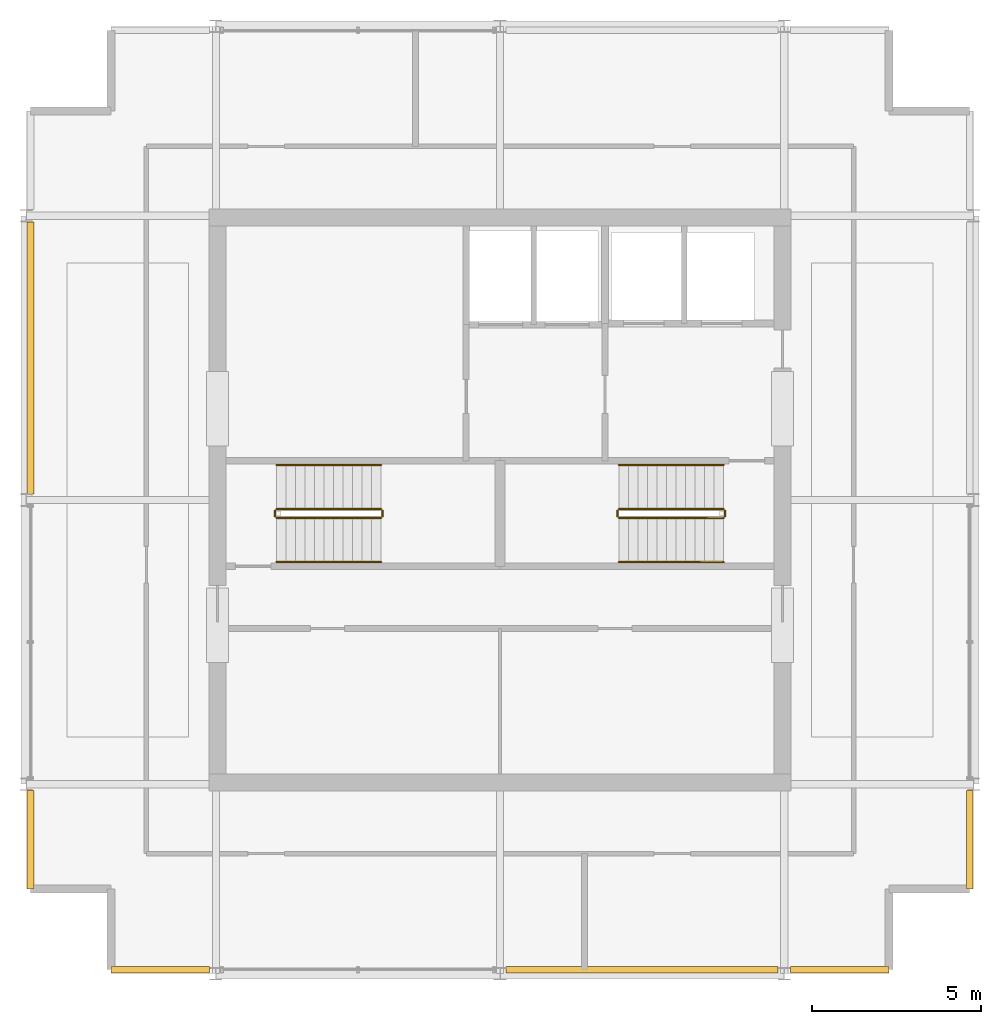
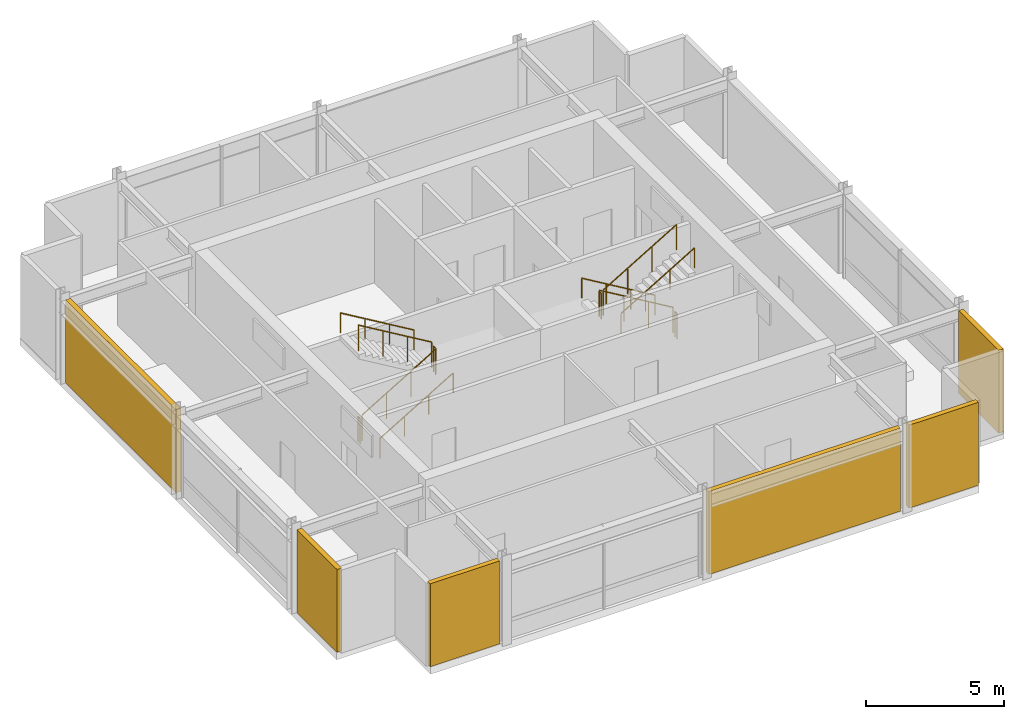
# One storey, part 11 of 12: 12 railings, 6 shading devices.
"""IFC4 building model written with IfcOpenShell, lengths in metres."""

from ifc_helpers import new_model, si_unit, direction, frame, origin, origin_2d, place, context, subcontext, project, spatial, rectangle, circle, extrude, material, layer, layer_set, type_object, element, save


model = new_model("IFC4")

# Units and contexts
model_context = context("Model", 3, precision=1e-05, world=origin(), true_north=direction((0.0, 1.0)))
body_context = subcontext(model_context, "Body", "Model", "MODEL_VIEW")
ifc_project = project(units=[si_unit("LENGTHUNIT", "METRE"), si_unit("AREAUNIT", "SQUARE_METRE"), si_unit("VOLUMEUNIT", "CUBIC_METRE"), si_unit("PLANEANGLEUNIT", "RADIAN"), si_unit("MASSUNIT", "GRAM", prefix="KILO")], contexts=[model_context])

# Site, building, storey
site_placement = place(None, origin())
site = spatial("IfcSite", under=ifc_project, at=site_placement, CompositionType="ELEMENT")
building_placement = place(site_placement, origin())
building = spatial("IfcBuilding", under=site, at=building_placement, Name="Drelvath Grand Hotel", CompositionType="ELEMENT")
storey_placement = place(building_placement, frame((0.0, 0.0, 315.39990234375)))
storey = spatial("IfcBuildingStorey", under=building, at=storey_placement, Name="L82", CompositionType="ELEMENT", Elevation=315.39990234375)

# Railings
ifc_material_1 = material(Name="Painted Steel S275", Category="steel")
railing_type_1 = type_object("IfcRailingType", Name="Core Stair Wall Handrail 900", PredefinedType="HANDRAIL", material=ifc_material_1)
railing_1_placement = place(storey_placement, frame((-6.60009765625, 25.169921875, 0.166748046875)))
element("IfcRailing", 1, at=railing_1_placement, inside=storey, type_object=railing_type_1, Name="L82 ST-1 stair handrail 1", PredefinedType="HANDRAIL", context=body_context, shape_type="SweptSolid", body=[
    extrude(circle(Radius=0.02392578125, at=origin_2d()), frame((0.0, 0.0, 0.8759765625), z_axis=(0.859308565015, 0.0, 0.511457515432), x_axis=(0.0, 1.0, 0.0)), (0.0, 0.0, 1.0), 3.58447265625),
    extrude(circle(Radius=0.02099609375, at=origin_2d()), origin(), (0.0, 0.0, 1.0), 0.851806640625),
    extrude(circle(Radius=0.02099609375, at=origin_2d()), frame((1.026611328125, 0.0, 0.611083984375)), (0.0, 0.0, 1.0), 0.851806640625),
    extrude(circle(Radius=0.02099609375, at=origin_2d()), frame((2.053466796875, 0.0, 1.22216796875)), (0.0, 0.0, 1.0), 0.851806640625),
    extrude(circle(Radius=0.02099609375, at=origin_2d()), frame((3.080078125, 0.0, 1.833251953125)), (0.0, 0.0, 1.0), 0.851806640625),
])
for number, where, name in (
    (2, (-3.52001953125, 28.030029296875, 2.166748046875), "L82 ST-1 stair handrail 2"),
    (3, (6.60009765625, 28.030029296875, 0.166748046875), "L82 ST-2 stair handrail 1"),
):
    element("IfcRailing", number, at=place(storey_placement, frame(where)), inside=storey, type_object=railing_type_1, Name=name, PredefinedType="HANDRAIL", context=body_context, shape_type="SweptSolid", body=[
        extrude(circle(Radius=0.02392578125, at=origin_2d()), frame((0.0, 0.0, 0.8759765625), z_axis=(-0.859308565015, 0.0, 0.511457515432), x_axis=(0.0, -1.0, 0.0)), (0.0, 0.0, 1.0), 3.58447265625),
        extrude(circle(Radius=0.02099609375, at=origin_2d()), origin(), (0.0, 0.0, 1.0), 0.851806640625),
        extrude(circle(Radius=0.02099609375, at=origin_2d()), frame((-1.026611328125, 0.0, 0.611083984375)), (0.0, 0.0, 1.0), 0.851806640625),
        extrude(circle(Radius=0.02099609375, at=origin_2d()), frame((-2.053466796875, 0.0, 1.22216796875)), (0.0, 0.0, 1.0), 0.851806640625),
        extrude(circle(Radius=0.02099609375, at=origin_2d()), frame((-3.080078125, 0.0, 1.833251953125)), (0.0, 0.0, 1.0), 0.851806640625),
    ])
railing_2_placement = place(storey_placement, frame((3.52001953125, 25.169921875, 2.166748046875)))
element("IfcRailing", 4, at=railing_2_placement, inside=storey, type_object=railing_type_1, Name="L82 ST-2 stair handrail 2", PredefinedType="HANDRAIL", context=body_context, shape_type="SweptSolid", body=[
    extrude(circle(Radius=0.02392578125, at=origin_2d()), frame((0.0, 0.0, 0.8759765625), z_axis=(0.859308565015, 0.0, 0.511457515432), x_axis=(0.0, 1.0, 0.0)), (0.0, 0.0, 1.0), 3.58447265625),
    extrude(circle(Radius=0.02099609375, at=origin_2d()), origin(), (0.0, 0.0, 1.0), 0.851806640625),
    extrude(circle(Radius=0.02099609375, at=origin_2d()), frame((1.026611328125, 0.0, 0.611083984375)), (0.0, 0.0, 1.0), 0.851806640625),
    extrude(circle(Radius=0.02099609375, at=origin_2d()), frame((2.053466796875, 0.0, 1.22216796875)), (0.0, 0.0, 1.0), 0.851806640625),
    extrude(circle(Radius=0.02099609375, at=origin_2d()), frame((3.080078125, 0.0, 1.833251953125)), (0.0, 0.0, 1.0), 0.851806640625),
])
railing_type_2 = type_object("IfcRailingType", Name="Core Stair Well Guardrail 1100", PredefinedType="GUARDRAIL", material=ifc_material_1)
railing_3_placement = place(storey_placement, frame((-6.60009765625, 26.469970703125, 0.166748046875)))
element("IfcRailing", 5, at=railing_3_placement, inside=storey, type_object=railing_type_2, Name="L82 ST-1 stair guard 1", PredefinedType="GUARDRAIL", context=body_context, shape_type="SweptSolid", body=[
    extrude(circle(Radius=0.02392578125, at=origin_2d()), frame((0.0, 0.0, 1.1259765625), z_axis=(0.859308565015, 0.0, 0.511457515432), x_axis=(0.0, 1.0, 0.0)), (0.0, 0.0, 1.0), 3.58447265625),
    extrude(circle(Radius=0.02099609375, at=origin_2d()), origin(), (0.0, 0.0, 1.0), 1.101806640625),
    extrude(circle(Radius=0.02099609375, at=origin_2d()), frame((1.026611328125, 0.0, 0.611083984375)), (0.0, 0.0, 1.0), 1.101806640625),
    extrude(circle(Radius=0.02099609375, at=origin_2d()), frame((2.053466796875, 0.0, 1.22216796875)), (0.0, 0.0, 1.0), 1.101806640625),
    extrude(circle(Radius=0.02099609375, at=origin_2d()), frame((3.080078125, 0.0, 1.833251953125)), (0.0, 0.0, 1.0), 1.101806640625),
])
railing_4_placement = place(storey_placement, frame((-3.469970703125, 26.52001953125, 2.0)))
element("IfcRailing", 6, at=railing_4_placement, inside=storey, type_object=railing_type_2, Name="L82 ST-1 stair guard 2", PredefinedType="GUARDRAIL", context=body_context, shape_type="SweptSolid", body=[
    extrude(circle(Radius=0.02392578125, at=origin_2d()), frame((0.0, 0.0, 1.1259765625), z_axis=(0.0, 1.0, 0.0), x_axis=(-1.0, 0.0, 0.0)), (0.0, 0.0, 1.0), 0.159912109375),
    extrude(circle(Radius=0.02099609375, at=origin_2d()), origin(), (0.0, 0.0, 1.0), 1.101806640625),
    extrude(circle(Radius=0.02099609375, at=origin_2d()), frame((0.0, 0.159912109375, 0.0)), (0.0, 0.0, 1.0), 1.101806640625),
])
railing_5_placement = place(storey_placement, frame((-3.52001953125, 26.72998046875, 2.166748046875)))
element("IfcRailing", 7, at=railing_5_placement, inside=storey, type_object=railing_type_2, Name="L82 ST-1 stair guard 3", PredefinedType="GUARDRAIL", context=body_context, shape_type="SweptSolid", body=[
    extrude(circle(Radius=0.02392578125, at=origin_2d()), frame((0.0, 0.0, 1.1259765625), z_axis=(-0.859308565015, 0.0, 0.511457515432), x_axis=(0.0, -1.0, 0.0)), (0.0, 0.0, 1.0), 3.58447265625),
    extrude(circle(Radius=0.02099609375, at=origin_2d()), origin(), (0.0, 0.0, 1.0), 1.101806640625),
    extrude(circle(Radius=0.02099609375, at=origin_2d()), frame((-1.026611328125, 0.0, 0.611083984375)), (0.0, 0.0, 1.0), 1.101806640625),
    extrude(circle(Radius=0.02099609375, at=origin_2d()), frame((-2.053466796875, 0.0, 1.22216796875)), (0.0, 0.0, 1.0), 1.101806640625),
    extrude(circle(Radius=0.02099609375, at=origin_2d()), frame((-3.080078125, 0.0, 1.833251953125)), (0.0, 0.0, 1.0), 1.101806640625),
])
railing_6_placement = place(storey_placement, frame((-6.64990234375, 26.52001953125, 0.0)))
element("IfcRailing", 8, at=railing_6_placement, inside=storey, type_object=railing_type_2, Name="L82 ST-1 stair guard 4", PredefinedType="GUARDRAIL", context=body_context, shape_type="SweptSolid", body=[
    extrude(circle(Radius=0.02392578125, at=origin_2d()), frame((0.0, 0.0, 1.1259765625), z_axis=(0.0, 1.0, 0.0), x_axis=(-1.0, 0.0, 0.0)), (0.0, 0.0, 1.0), 0.159912109375),
    extrude(circle(Radius=0.02099609375, at=origin_2d()), origin(), (0.0, 0.0, 1.0), 1.101806640625),
    extrude(circle(Radius=0.02099609375, at=origin_2d()), frame((0.0, 0.159912109375, 0.0)), (0.0, 0.0, 1.0), 1.101806640625),
])
railing_7_placement = place(storey_placement, frame((6.60009765625, 26.72998046875, 0.166748046875)))
element("IfcRailing", 9, at=railing_7_placement, inside=storey, type_object=railing_type_2, Name="L82 ST-2 stair guard 1", PredefinedType="GUARDRAIL", context=body_context, shape_type="SweptSolid", body=[
    extrude(circle(Radius=0.02392578125, at=origin_2d()), frame((0.0, 0.0, 1.1259765625), z_axis=(-0.859308565015, 0.0, 0.511457515432), x_axis=(0.0, -1.0, 0.0)), (0.0, 0.0, 1.0), 3.58447265625),
    extrude(circle(Radius=0.02099609375, at=origin_2d()), origin(), (0.0, 0.0, 1.0), 1.101806640625),
    extrude(circle(Radius=0.02099609375, at=origin_2d()), frame((-1.026611328125, 0.0, 0.611083984375)), (0.0, 0.0, 1.0), 1.101806640625),
    extrude(circle(Radius=0.02099609375, at=origin_2d()), frame((-2.053466796875, 0.0, 1.22216796875)), (0.0, 0.0, 1.0), 1.101806640625),
    extrude(circle(Radius=0.02099609375, at=origin_2d()), frame((-3.080078125, 0.0, 1.833251953125)), (0.0, 0.0, 1.0), 1.101806640625),
])
railing_8_placement = place(storey_placement, frame((3.469970703125, 26.679931640625, 2.0)))
element("IfcRailing", 10, at=railing_8_placement, inside=storey, type_object=railing_type_2, Name="L82 ST-2 stair guard 2", PredefinedType="GUARDRAIL", context=body_context, shape_type="SweptSolid", body=[
    extrude(circle(Radius=0.02392578125, at=origin_2d()), frame((0.0, 0.0, 1.1259765625), z_axis=(0.0, -1.0, 0.0), x_axis=(1.0, 0.0, 0.0)), (0.0, 0.0, 1.0), 0.159912109375),
    extrude(circle(Radius=0.02099609375, at=origin_2d()), origin(), (0.0, 0.0, 1.0), 1.101806640625),
    extrude(circle(Radius=0.02099609375, at=origin_2d()), frame((0.0, -0.159912109375, 0.0)), (0.0, 0.0, 1.0), 1.101806640625),
])
railing_9_placement = place(storey_placement, frame((3.52001953125, 26.469970703125, 2.166748046875)))
element("IfcRailing", 11, at=railing_9_placement, inside=storey, type_object=railing_type_2, Name="L82 ST-2 stair guard 3", PredefinedType="GUARDRAIL", context=body_context, shape_type="SweptSolid", body=[
    extrude(circle(Radius=0.02392578125, at=origin_2d()), frame((0.0, 0.0, 1.1259765625), z_axis=(0.859308565015, 0.0, 0.511457515432), x_axis=(0.0, 1.0, 0.0)), (0.0, 0.0, 1.0), 3.58447265625),
    extrude(circle(Radius=0.02099609375, at=origin_2d()), origin(), (0.0, 0.0, 1.0), 1.101806640625),
    extrude(circle(Radius=0.02099609375, at=origin_2d()), frame((1.026611328125, 0.0, 0.611083984375)), (0.0, 0.0, 1.0), 1.101806640625),
    extrude(circle(Radius=0.02099609375, at=origin_2d()), frame((2.053466796875, 0.0, 1.22216796875)), (0.0, 0.0, 1.0), 1.101806640625),
    extrude(circle(Radius=0.02099609375, at=origin_2d()), frame((3.080078125, 0.0, 1.833251953125)), (0.0, 0.0, 1.0), 1.101806640625),
])
railing_10_placement = place(storey_placement, frame((6.64990234375, 26.679931640625, 0.0)))
element("IfcRailing", 12, at=railing_10_placement, inside=storey, type_object=railing_type_2, Name="L82 ST-2 stair guard 4", PredefinedType="GUARDRAIL", context=body_context, shape_type="SweptSolid", body=[
    extrude(circle(Radius=0.02392578125, at=origin_2d()), frame((0.0, 0.0, 1.1259765625), z_axis=(0.0, -1.0, 0.0), x_axis=(1.0, 0.0, 0.0)), (0.0, 0.0, 1.0), 0.159912109375),
    extrude(circle(Radius=0.02099609375, at=origin_2d()), origin(), (0.0, 0.0, 1.0), 1.101806640625),
    extrude(circle(Radius=0.02099609375, at=origin_2d()), frame((0.0, -0.159912109375, 0.0)), (0.0, 0.0, 1.0), 1.101806640625),
])

# Shading devices
ifc_material_2 = material(Name="Platinum-Mist Anodised Aluminium Louvre", Category="aluminium")
ifc_layer = layer(ifc_material_2, 0.199951171875)
ifc_layer_set = layer_set([ifc_layer], Name="Platinum-Mist Anodised Aluminium Louvre")
shading_device_type = type_object("IfcShadingDeviceType", Name="Crown Drum Screened Acoustic Louvre 200", PredefinedType="USERDEFINED", material=ifc_layer_set)
shading_device_1_placement = place(storey_placement, frame((-13.8798828125, 16.958984375, 0.0), z_axis=(0.0, 0.0, 1.0), x_axis=(0.0, 1.0, 0.0)))
element("IfcShadingDevice", 13, at=shading_device_1_placement, inside=storey, type_object=shading_device_type, Name="L82 Crown Drum Acoustic Louvre W-1", ObjectType="LOUVRE", PredefinedType="USERDEFINED", context=body_context, shape_type="SweptSolid", body=[
    extrude(rectangle(XDim=2.917724609375, YDim=0.199951171875, at=origin_2d()), origin(), (0.0, 0.0, 1.0), 3.679931640625),
])
shading_device_2_placement = place(storey_placement, frame((-13.8798828125, 31.199951171875, 0.0), z_axis=(0.0, 0.0, 1.0), x_axis=(0.0, 1.0, 0.0)))
element("IfcShadingDevice", 14, at=shading_device_2_placement, inside=storey, type_object=shading_device_type, Name="L82 Crown Drum Acoustic Louvre W-3", ObjectType="LOUVRE", PredefinedType="USERDEFINED", context=body_context, shape_type="SweptSolid", body=[
    extrude(rectangle(XDim=8.03564453125, YDim=0.199951171875, at=origin_2d()), origin(), (0.0, 0.0, 1.0), 3.679931640625),
])
shading_device_3_placement = place(storey_placement, frame((13.8798828125, 16.958984375, 0.0), z_axis=(0.0, 0.0, 1.0), x_axis=(0.0, 1.0, 0.0)))
element("IfcShadingDevice", 15, at=shading_device_3_placement, inside=storey, type_object=shading_device_type, Name="L82 Crown Drum Acoustic Louvre E-1", ObjectType="LOUVRE", PredefinedType="USERDEFINED", context=body_context, shape_type="SweptSolid", body=[
    extrude(rectangle(XDim=2.917724609375, YDim=0.199951171875, at=origin_2d()), origin(), (0.0, 0.0, 1.0), 3.679931640625),
])
shading_device_4_placement = place(storey_placement, frame((-10.04150390625, 13.1201171875, 0.0), z_axis=(0.0, 0.0, 1.0), x_axis=(1.0, 0.0, 0.0)))
element("IfcShadingDevice", 16, at=shading_device_4_placement, inside=storey, type_object=shading_device_type, Name="L82 Crown Drum Acoustic Louvre S-1", ObjectType="LOUVRE", PredefinedType="USERDEFINED", context=body_context, shape_type="SweptSolid", body=[
    extrude(rectangle(XDim=2.9169921875, YDim=0.199951171875, at=origin_2d()), origin(), (0.0, 0.0, 1.0), 3.679931640625),
])
shading_device_5_placement = place(storey_placement, frame((4.199951171875, 13.1201171875, 0.0), z_axis=(0.0, 0.0, 1.0), x_axis=(1.0, 0.0, 0.0)))
element("IfcShadingDevice", 17, at=shading_device_5_placement, inside=storey, type_object=shading_device_type, Name="L82 Crown Drum Acoustic Louvre S-3", ObjectType="LOUVRE", PredefinedType="USERDEFINED", context=body_context, shape_type="SweptSolid", body=[
    extrude(rectangle(XDim=8.033935546875, YDim=0.199951171875, at=origin_2d()), origin(), (0.0, 0.0, 1.0), 3.679931640625),
])
shading_device_6_placement = place(storey_placement, frame((10.04150390625, 13.1201171875, 0.0), z_axis=(0.0, 0.0, 1.0), x_axis=(1.0, 0.0, 0.0)))
element("IfcShadingDevice", 18, at=shading_device_6_placement, inside=storey, type_object=shading_device_type, Name="L82 Crown Drum Acoustic Louvre S-4", ObjectType="LOUVRE", PredefinedType="USERDEFINED", context=body_context, shape_type="SweptSolid", body=[
    extrude(rectangle(XDim=2.9169921875, YDim=0.199951171875, at=origin_2d()), origin(), (0.0, 0.0, 1.0), 3.679931640625),
])

save(model, "model.ifc")
